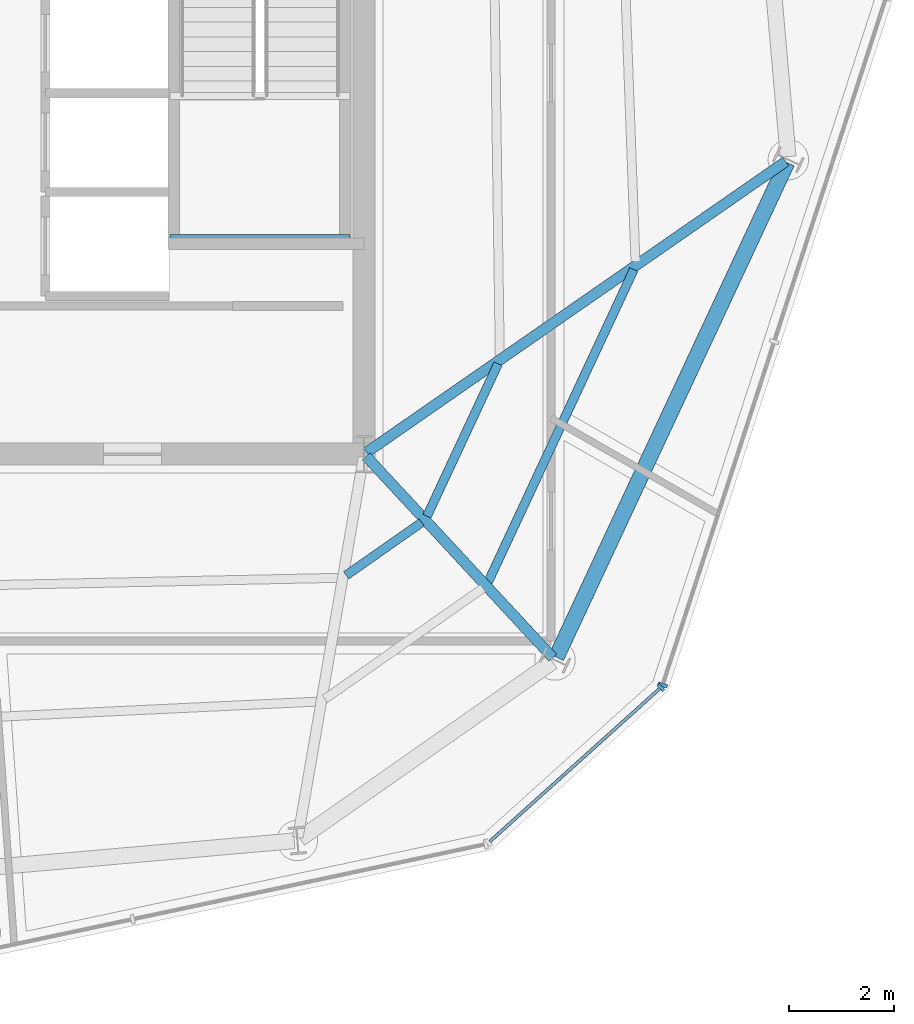
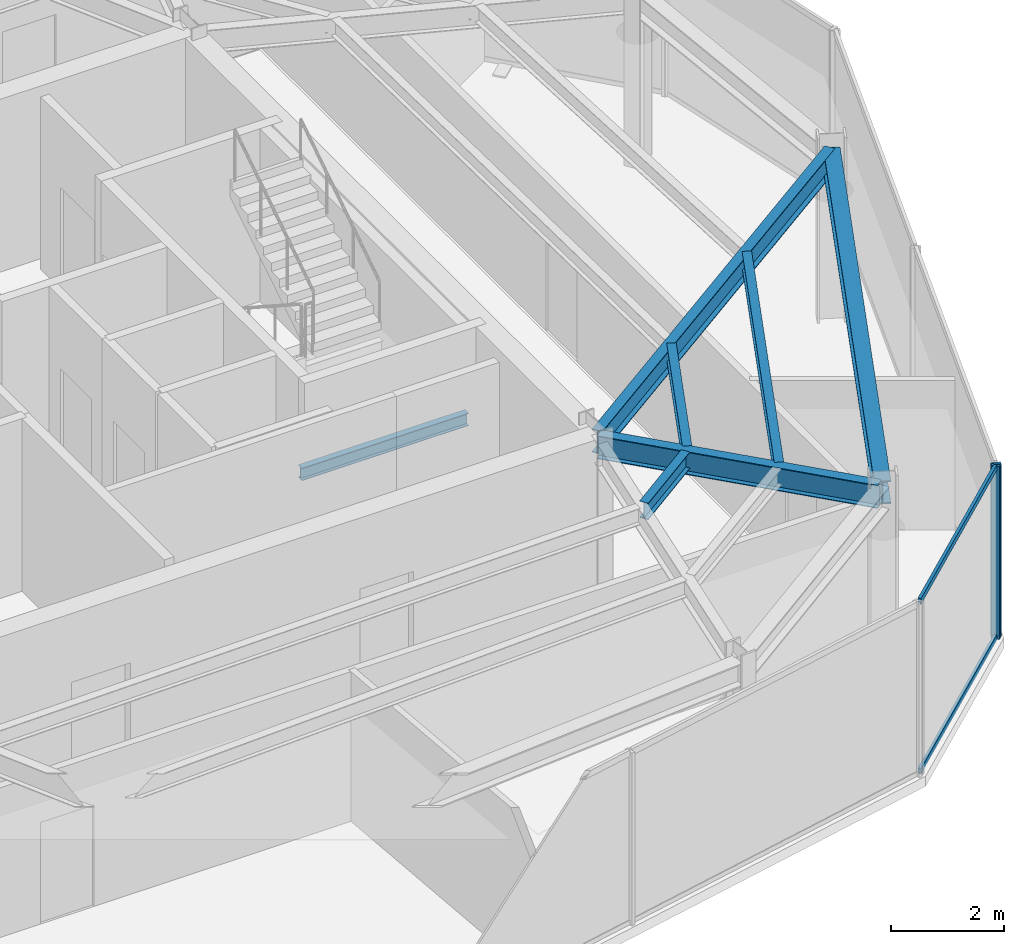
# One storey, part 3 of 13: 7 beams, 4 members, 2 elements without a shape of their own.
"""IFC4 building model written with IfcOpenShell, lengths in metres."""

from ifc_helpers import new_model, si_unit, direction, frame, origin, origin_2d, place, context, subcontext, project, spatial, rectangle, i_section, extrude, material, layer, layer_set, material_profile, profile_set, type_object, element, aggregate, save


model = new_model("IFC4")

# Units and contexts
model_context = context("Model", 3, precision=1e-05, world=origin(), true_north=direction((0.0, 1.0)))
body_context = subcontext(model_context, "Body", "Model", "MODEL_VIEW")
ifc_project = project(units=[si_unit("LENGTHUNIT", "METRE"), si_unit("AREAUNIT", "SQUARE_METRE"), si_unit("VOLUMEUNIT", "CUBIC_METRE"), si_unit("PLANEANGLEUNIT", "RADIAN"), si_unit("MASSUNIT", "GRAM", prefix="KILO")], contexts=[model_context])

# Site, building, storey
site_placement = place(None, origin())
site = spatial("IfcSite", under=ifc_project, at=site_placement, CompositionType="ELEMENT")
building_placement = place(site_placement, origin())
building = spatial("IfcBuilding", under=site, at=building_placement, Name="Kranzbogen Civic Tower", CompositionType="ELEMENT")
storey_placement = place(building_placement, frame((0.0, 0.0, 314.199951171875)))
storey = spatial("IfcBuildingStorey", under=building, at=storey_placement, Name="L76", CompositionType="ELEMENT", Elevation=314.199951171875)

# Curtain wall, member
ifc_material_1 = material(Name="Pale Anodised Aluminium", Category="aluminium")
ifc_layer_1 = layer(ifc_material_1, 0.219970703125, Name="Pale Anodised Aluminium")
ifc_layer_set_1 = layer_set([ifc_layer_1], Name="Pale Anodised Aluminium")
curtain_wall_type_1 = type_object("IfcCurtainWallType", Name="Chamfer Facet Stick Curtain Wall System CW-06", PredefinedType="USERDEFINED", material=ifc_layer_set_1)
curtain_wall_1_placement = place(storey_placement, origin())
curtain_wall_1 = element("IfcCurtainWall", 1, at=curtain_wall_1_placement, inside=storey, type_object=curtain_wall_type_1, Name="L76 curtain wall CW-L76-C4", ObjectType="STICK CURTAIN WALL", PredefinedType="USERDEFINED")
ifc_material_profile_1 = material_profile(ifc_material_1, rectangle(XDim=0.06005859375, YDim=0.159912109375, at=origin_2d()), Name="ALU-M 60x160")
ifc_profile_set_1 = profile_set([ifc_material_profile_1], Name="Pale Anodised Aluminium")
member_type_1 = type_object("IfcMemberType", Name="Curtain Wall Mullion ALU-M 60x160", PredefinedType="MULLION", material=ifc_profile_set_1)
member_1_placement = place(storey_placement, frame((38.435791015625, 13.368896484375, 0.0), z_axis=(0.0, 0.0, 1.0), x_axis=(0.743205037915, 0.669063727621, 0.0)))
member_1 = element("IfcMember", 2, at=member_1_placement, type_object=member_type_1, Name="CW-06 mullion 2", PredefinedType="MULLION", context=body_context, shape_type="SweptSolid", body=[
    extrude(rectangle(XDim=0.06005859375, YDim=0.159912109375, at=origin_2d()), origin(), (0.0, 0.0, 1.0), 3.739990234375),
])

ifc_layer_2 = layer(ifc_material_1, 0.219970703125, Name="Pale Anodised Aluminium")
ifc_layer_set_2 = layer_set([ifc_layer_2], Name="Pale Anodised Aluminium")
curtain_wall_type_2 = type_object("IfcCurtainWallType", Name="Zone 4 Stick Curtain Wall System CW-05", PredefinedType="USERDEFINED", material=ifc_layer_set_2)
curtain_wall_2_placement = place(storey_placement, origin())
curtain_wall_2 = element("IfcCurtainWall", 3, at=curtain_wall_2_placement, inside=storey, type_object=curtain_wall_type_2, Name="L76 curtain wall CW-L76-F5", ObjectType="STICK CURTAIN WALL", PredefinedType="USERDEFINED")
ifc_material_profile_2 = material_profile(ifc_material_1, rectangle(XDim=0.06494140625, YDim=0.179931640625, at=origin_2d()), Name="ALU-M 65x180")
ifc_profile_set_2 = profile_set([ifc_material_profile_2], Name="Pale Anodised Aluminium")
member_type_2 = type_object("IfcMemberType", Name="Curtain Wall Mullion ALU-M 65x180", PredefinedType="MULLION", material=ifc_profile_set_2)
member_2_placement = place(storey_placement, frame((38.46728515625, 13.41748046875, 0.0), z_axis=(0.0, 0.0, 1.0), x_axis=(0.309005589548, 0.951060221872, 0.0)))
member_2 = element("IfcMember", 4, at=member_2_placement, type_object=member_type_2, Name="CW-05 mullion 1", PredefinedType="MULLION", context=body_context, shape_type="SweptSolid", body=[
    extrude(rectangle(XDim=0.06494140625, YDim=0.179931640625, at=origin_2d()), origin(), (0.0, 0.0, 1.0), 3.739990234375),
])
aggregate(curtain_wall_2, [member_2])

# Member
ifc_material_profile_3 = material_profile(ifc_material_1, rectangle(XDim=0.06005859375, YDim=0.1201171875, at=origin_2d()), Name="ALU-T 60x120")
ifc_profile_set_3 = profile_set([ifc_material_profile_3], Name="Pale Anodised Aluminium")
member_type_3 = type_object("IfcMemberType", Name="Curtain Wall Transom ALU-T 60x120", PredefinedType="USERDEFINED", material=ifc_profile_set_3)
member_3_placement = place(storey_placement, frame((35.1845703125, 10.442138671875, 0.030029296875), z_axis=(0.743196338078, 0.669073391391, 0.0), x_axis=(-0.669073391391, 0.743196338078, 0.0)))
member_3 = element("IfcMember", 5, at=member_3_placement, type_object=member_type_3, Name="CW-06 transom 1.1", ObjectType="TRANSOM", PredefinedType="USERDEFINED", context=body_context, shape_type="SweptSolid", body=[
    extrude(rectangle(XDim=0.06005859375, YDim=0.1201171875, at=origin_2d()), origin(), (0.0, 0.0, 1.0), 4.344482421875),
])

member_4_placement = place(storey_placement, frame((35.1845703125, 10.442138671875, 3.7099609375), z_axis=(0.743196338078, 0.669073391391, 0.0), x_axis=(-0.669073391391, 0.743196338078, 0.0)))
member_4 = element("IfcMember", 6, at=member_4_placement, type_object=member_type_3, Name="CW-06 transom 1.2", ObjectType="TRANSOM", PredefinedType="USERDEFINED", context=body_context, shape_type="SweptSolid", body=[
    extrude(rectangle(XDim=0.06005859375, YDim=0.1201171875, at=origin_2d()), origin(), (0.0, 0.0, 1.0), 4.344482421875),
])

aggregate(curtain_wall_1, [member_1, member_3, member_4])

# Beams
ifc_material_2 = material(Name="Steel S355", Category="steel")
ifc_material_profile_4 = material_profile(ifc_material_2, i_section(OverallWidth=0.300048828125, OverallDepth=0.5, WebThickness=0.014404296875, FlangeThickness=0.028076171875, at=origin_2d()), Name="HEB 500")
ifc_profile_set_4 = profile_set([ifc_material_profile_4], Name="Steel S355")
beam_type_1 = type_object("IfcBeamType", Name="Perimeter Tube Spandrel Beam HEB 500", PredefinedType="SPANDREL", material=ifc_profile_set_4)
beam_1_placement = place(storey_placement, frame((36.449951171875, 13.944091796875, 3.489990234375), z_axis=(0.422668780888, 0.906284227857, 0.0), x_axis=(-0.906284227857, 0.422668780888, 0.0)))
element("IfcBeam", 7, at=beam_1_placement, inside=storey, type_object=beam_type_1, Name="L76 perimeter spandrel beam 05", PredefinedType="SPANDREL", context=body_context, shape_type="SweptSolid", body=[
    extrude(i_section(OverallWidth=0.300048828125, OverallDepth=0.5, WebThickness=0.014404296875, FlangeThickness=0.028076171875, at=origin_2d()), origin(), (0.0, 0.0, 1.0), 10.363037109375),
])
ifc_material_profile_5 = material_profile(ifc_material_2, i_section(OverallWidth=0.199951171875, OverallDepth=0.5, WebThickness=0.01025390625, FlangeThickness=0.01611328125, at=origin_2d()), Name="IPE 500")
ifc_profile_set_5 = profile_set([ifc_material_profile_5], Name="Steel S355")
beam_type_2 = type_object("IfcBeamType", Name="Radial Tower Floor Girder IPE 500", PredefinedType="BEAM", material=ifc_profile_set_5)
beam_2_placement = place(storey_placement, frame((36.384033203125, 13.93408203125, 3.489990234375), z_axis=(-0.679827353702, 0.733372190064, 0.0), x_axis=(-0.733372190064, -0.679827353702, 0.0)))
element("IfcBeam", 8, at=beam_2_placement, inside=storey, type_object=beam_type_2, Name="L76 radial floor girder 05", PredefinedType="BEAM", context=body_context, shape_type="SweptSolid", body=[
    extrude(i_section(OverallWidth=0.199951171875, OverallDepth=0.5, WebThickness=0.01025390625, FlangeThickness=0.01611328125, at=origin_2d()), origin(), (0.0, 0.0, 1.0), 5.211669921875),
])
beam_3_placement = place(storey_placement, frame((40.805908203125, 23.35595703125, 3.489990234375), z_axis=(-0.821542812331, -0.570146829779, 0.0), x_axis=(0.570146829779, -0.821542812331, 0.0)))
element("IfcBeam", 9, at=beam_3_placement, inside=storey, type_object=beam_type_2, Name="L76 radial floor girder 06", PredefinedType="BEAM", context=body_context, shape_type="SweptSolid", body=[
    extrude(i_section(OverallWidth=0.199951171875, OverallDepth=0.5, WebThickness=0.01025390625, FlangeThickness=0.01611328125, at=origin_2d()), origin(), (0.0, 0.0, 1.0), 9.68505859375),
])
ifc_material_profile_6 = material_profile(ifc_material_2, i_section(OverallWidth=0.169921875, OverallDepth=0.360107421875, WebThickness=0.008056640625, FlangeThickness=0.0126953125, at=origin_2d()), Name="IPE 360")
ifc_profile_set_6 = profile_set([ifc_material_profile_6], Name="Steel S355")
beam_type_3 = type_object("IfcBeamType", Name="Secondary Composite Floor Joist IPE 360", PredefinedType="JOIST", material=ifc_profile_set_6)
beam_4_placement = place(storey_placement, frame((32.4599609375, 15.498046875, 3.56005859375), z_axis=(0.818956727849, 0.573855276103, 0.0), x_axis=(-0.573855276103, 0.818956727849, 0.0)))
element("IfcBeam", 10, at=beam_4_placement, inside=storey, type_object=beam_type_3, Name="L76 secondary floor joist 2.04", PredefinedType="JOIST", context=body_context, shape_type="SweptSolid", body=[
    extrude(i_section(OverallWidth=0.169921875, OverallDepth=0.360107421875, WebThickness=0.008056640625, FlangeThickness=0.0126953125, at=origin_2d()), origin(), (0.0, 0.0, 1.0), 1.751220703125),
])
beam_5_placement = place(storey_placement, frame((35.154052734375, 15.3701171875, 3.56005859375), z_axis=(0.422542528713, 0.906343098075, 0.0), x_axis=(-0.906343098075, 0.422542528713, 0.0)))
element("IfcBeam", 11, at=beam_5_placement, inside=storey, type_object=beam_type_3, Name="L76 secondary floor joist 1.05", PredefinedType="JOIST", context=body_context, shape_type="SweptSolid", body=[
    extrude(i_section(OverallWidth=0.169921875, OverallDepth=0.360107421875, WebThickness=0.008056640625, FlangeThickness=0.0126953125, at=origin_2d()), origin(), (0.0, 0.0, 1.0), 6.548095703125),
])
beam_6_placement = place(storey_placement, frame((33.993896484375, 16.62109375, 3.56005859375), z_axis=(0.422651143991, 0.906292453065, 0.0), x_axis=(-0.906292453065, 0.422651143991, 0.0)))
element("IfcBeam", 12, at=beam_6_placement, inside=storey, type_object=beam_type_3, Name="L76 secondary floor joist 2.05", PredefinedType="JOIST", context=body_context, shape_type="SweptSolid", body=[
    extrude(i_section(OverallWidth=0.169921875, OverallDepth=0.360107421875, WebThickness=0.008056640625, FlangeThickness=0.0126953125, at=origin_2d()), origin(), (0.0, 0.0, 1.0), 3.1943359375),
])
ifc_material_profile_7 = material_profile(ifc_material_2, i_section(OverallWidth=0.135009765625, OverallDepth=0.27001953125, WebThickness=0.006591796875, FlangeThickness=0.01025390625, at=origin_2d()), Name="IPE 270")
ifc_profile_set_7 = profile_set([ifc_material_profile_7], Name="Steel S355")
beam_type_4 = type_object("IfcBeamType", Name="Stair Landing Support Beam IPE 270", PredefinedType="JOIST", material=ifc_profile_set_7)
beam_7_placement = place(storey_placement, frame((29.1201171875, 21.89990234375, 1.6650390625), z_axis=(1.0, 0.0, 0.0), x_axis=(0.0, 1.0, 0.0)))
element("IfcBeam", 13, at=beam_7_placement, inside=storey, type_object=beam_type_4, Name="L76 ST-T2 landing support beam 1.2", PredefinedType="JOIST", context=body_context, shape_type="SweptSolid", body=[
    extrude(i_section(OverallWidth=0.135009765625, OverallDepth=0.27001953125, WebThickness=0.006591796875, FlangeThickness=0.01025390625, at=origin_2d()), origin(), (0.0, 0.0, 1.0), 3.409912109375),
])

save(model, "model.ifc")
